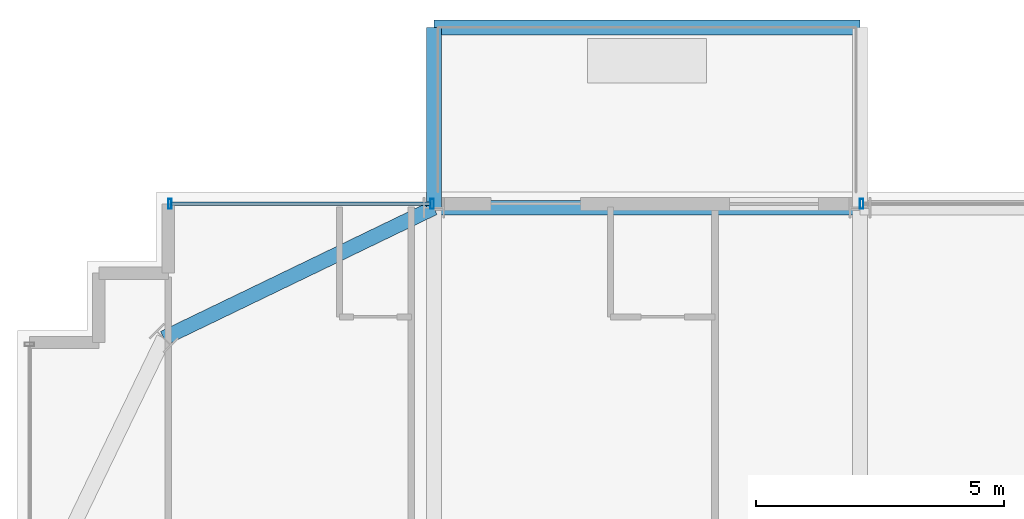
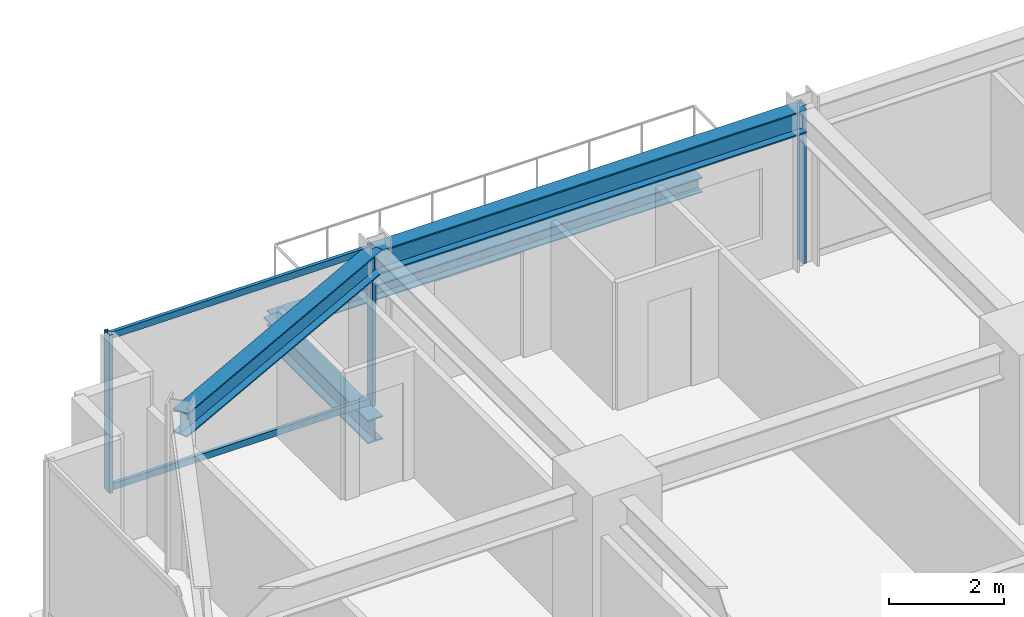
# One storey, part 28 of 42: 5 members, 4 beams, 2 elements without a shape of their own.
"""IFC4 building model written with IfcOpenShell, lengths in metres."""

from ifc_helpers import new_model, si_unit, direction, frame, origin, origin_2d, place, context, subcontext, project, spatial, hollow_rectangle, i_section, extrude, source, transform, mapped, material, material_profile, profile_set, type_object, element, aggregate, save


model = new_model("IFC4")

# Units and contexts
model_context = context("Model", 3, precision=1e-05, world=origin(), true_north=direction((0.0, 1.0)))
body_context = subcontext(model_context, "Body", "Model", "MODEL_VIEW")
ifc_project = project(units=[si_unit("LENGTHUNIT", "METRE"), si_unit("AREAUNIT", "SQUARE_METRE"), si_unit("VOLUMEUNIT", "CUBIC_METRE"), si_unit("PLANEANGLEUNIT", "RADIAN"), si_unit("MASSUNIT", "GRAM", prefix="KILO")], contexts=[model_context])

# Site, building, storey
site_placement = place(None, origin())
site = spatial("IfcSite", under=ifc_project, at=site_placement, CompositionType="ELEMENT")
building_placement = place(site_placement, origin())
building = spatial("IfcBuilding", under=site, at=building_placement, Name="Nahalor Promenade Grand Hotel", CompositionType="ELEMENT")
storey_placement = place(building_placement, frame((0.0, 0.0, 61.60009765625)))
storey = spatial("IfcBuildingStorey", under=building, at=storey_placement, Name="L14", CompositionType="ELEMENT", Elevation=61.60009765625)

# Beams
ifc_material_1 = material(Name="Steel S355JR", Category="steel")
ifc_material_profile_1 = material_profile(ifc_material_1, i_section(OverallWidth=0.3, OverallDepth=0.32, WebThickness=0.0115, FlangeThickness=0.0205, at=origin_2d()), Name="HEB 320")
ifc_profile_set_1 = profile_set([ifc_material_profile_1], Name="Steel S355JR")
beam_type_1 = type_object("IfcBeamType", Name="Beam-BalcEdge-HEB320", PredefinedType="SPANDREL", material=ifc_profile_set_1)
shared_shape_1 = source(origin(), body_context, "Body", "SweptSolid", [
    extrude(i_section(OverallWidth=0.3, OverallDepth=0.32, WebThickness=0.0115, FlangeThickness=0.0205, at=origin_2d()), origin(), (0.0, 0.0, 1.0), 8.60009765625),
])
beam_1_placement = place(storey_placement, frame((-17.0, 28.719970703125, -0.440185546875), z_axis=(1.0, 0.0, 0.0), x_axis=(0.0, 1.0, 0.0)))
element("IfcBeam", 1, at=beam_1_placement, inside=storey, type_object=beam_type_1, Name="BM-L14-BC-01-F", PredefinedType="SPANDREL", context=body_context, shape_type="MappedRepresentation", body=[
    mapped(shared_shape_1, transform((0.0, 0.0, 0.0), scale=1.0)),
])
ifc_material_profile_2 = material_profile(ifc_material_1, i_section(OverallWidth=0.3, OverallDepth=0.5, WebThickness=0.0145, FlangeThickness=0.028, at=origin_2d()), Name="HEB 500")
ifc_profile_set_2 = profile_set([ifc_material_profile_2], Name="Steel S355JR")
beam_type_2 = type_object("IfcBeamType", Name="Beam-Outrigger-HEB500", PredefinedType="BEAM", material=ifc_profile_set_2)
shared_shape_2 = source(origin(), body_context, "Body", "SweptSolid", [
    extrude(i_section(OverallWidth=0.3, OverallDepth=0.5, WebThickness=0.0145, FlangeThickness=0.028, at=origin_2d()), origin(), (0.0, 0.0, 1.0), 3.639892578125),
])
beam_2_placement = place(storey_placement, frame((-17.0, 25.080078125, -0.530029296875), z_axis=(0.0, 1.0, 0.0), x_axis=(-1.0, 0.0, 0.0)))
element("IfcBeam", 2, at=beam_2_placement, inside=storey, type_object=beam_type_2, Name="BM-L14-BC-01-1", PredefinedType="BEAM", context=body_context, shape_type="MappedRepresentation", body=[
    mapped(shared_shape_2, transform((0.0, 0.0, 0.0), scale=1.0)),
])
ifc_material_profile_3 = material_profile(ifc_material_1, i_section(OverallWidth=0.3, OverallDepth=0.5, WebThickness=0.0145, FlangeThickness=0.028, at=origin_2d()), Name="HEB 500")
ifc_profile_set_3 = profile_set([ifc_material_profile_3], Name="Steel S355JR")
beam_type_3 = type_object("IfcBeamType", Name="Beam-Spandrel-HEB500", PredefinedType="SPANDREL", material=ifc_profile_set_3)
shared_shape_3 = source(origin(), body_context, "Body", "SweptSolid", [
    extrude(i_section(OverallWidth=0.3, OverallDepth=0.5, WebThickness=0.0145, FlangeThickness=0.028, at=origin_2d()), origin(), (0.0, 0.0, 1.0), 8.60009765625),
])
beam_3_placement = place(storey_placement, frame((-17.0, 25.080078125, 3.119873046875), z_axis=(1.0, 0.0, 0.0), x_axis=(0.0, 1.0, 0.0)))
element("IfcBeam", 3, at=beam_3_placement, inside=storey, type_object=beam_type_3, Name="BM-L14-SP-N-0", PredefinedType="SPANDREL", context=body_context, shape_type="MappedRepresentation", body=[
    mapped(shared_shape_3, transform((0.0, 0.0, 0.0), scale=1.0)),
])
shared_shape_4 = source(origin(), body_context, "Body", "SweptSolid", [
    extrude(i_section(OverallWidth=0.3, OverallDepth=0.5, WebThickness=0.0145, FlangeThickness=0.028, at=origin_2d()), origin(), (0.0, 0.0, 1.0), 6.051513671875),
])
beam_4_placement = place(storey_placement, frame((-17.0, 25.080078125, 3.119873046875), z_axis=(-0.900608818852, -0.434630596492, 0.0), x_axis=(0.434630596492, -0.900608818852, 0.0)))
element("IfcBeam", 4, at=beam_4_placement, inside=storey, type_object=beam_type_3, Name="BM-L14-SPC-NW-1", PredefinedType="SPANDREL", context=body_context, shape_type="MappedRepresentation", body=[
    mapped(shared_shape_4, transform((0.0, 0.0, 0.0), scale=1.0)),
])

# Curtain wall, members
ifc_material_2 = material(Name="Anodised Bronze Aluminium EN AW-6063 T6", Category="aluminium")
curtain_wall_type = type_object("IfcCurtainWallType", Name="CW3 Elliptical-Void Collar Unitised Curtain Wall", PredefinedType="USERDEFINED", material=ifc_material_2)
curtain_wall_1_placement = place(storey_placement, origin())
curtain_wall_1 = element("IfcCurtainWall", 5, at=curtain_wall_1_placement, inside=storey, type_object=curtain_wall_type, Name="L14 Curtain Wall CW-L14-N-1", ObjectType="UNITISED_CURTAIN_WALL", PredefinedType="USERDEFINED")
ifc_material_profile_4 = material_profile(ifc_material_2, hollow_rectangle(XDim=0.07, YDim=0.2, WallThickness=0.005, at=origin_2d()), Name="CWM 70x200x5")
ifc_profile_set_4 = profile_set([ifc_material_profile_4], Name="Anodised Bronze Aluminium EN AW-6063 T6")
member_type_1 = type_object("IfcMemberType", Name="CWM3 Void Collar Mullion 70x200", PredefinedType="MULLION", material=ifc_profile_set_4)
shared_shape_5 = source(origin(), body_context, "Body", "SweptSolid", [
    extrude(hollow_rectangle(XDim=0.07, YDim=0.2, WallThickness=0.005, at=origin_2d()), origin(), (0.0, 0.0, 1.0), 3.369873046875),
])
member_1_placement = place(storey_placement, frame((-22.324951171875, 25.159912109375, 0.0), z_axis=(0.0, 0.0, 1.0), x_axis=(1.0, 0.0, 0.0)))
member_1 = element("IfcMember", 6, at=member_1_placement, type_object=member_type_1, Name="CW-L14-N-1 Mullion 0", PredefinedType="MULLION", context=body_context, shape_type="MappedRepresentation", body=[
    mapped(shared_shape_5, transform((0.0, 0.0, 0.0), scale=1.0)),
])
member_2_placement = place(storey_placement, frame((-17.034912109375, 25.159912109375, 0.0), z_axis=(0.0, 0.0, 1.0), x_axis=(1.0, 0.0, 0.0)))
member_2 = element("IfcMember", 7, at=member_2_placement, type_object=member_type_1, Name="CW-L14-N-1 Mullion 1", PredefinedType="MULLION", context=body_context, shape_type="MappedRepresentation", body=[
    mapped(shared_shape_5, transform((0.0, 0.0, 0.0), scale=1.0)),
])

# Curtain wall, member
curtain_wall_2_placement = place(storey_placement, origin())
curtain_wall_2 = element("IfcCurtainWall", 8, at=curtain_wall_2_placement, inside=storey, type_object=curtain_wall_type, Name="L14 Curtain Wall CW-L14-N-3", ObjectType="UNITISED_CURTAIN_WALL", PredefinedType="USERDEFINED")
member_3_placement = place(storey_placement, frame((-8.364990234375, 25.159912109375, 0.0), z_axis=(0.0, 0.0, 1.0), x_axis=(1.0, 0.0, 0.0)))
member_3 = element("IfcMember", 9, at=member_3_placement, type_object=member_type_1, Name="CW-L14-N-3 Mullion 0", PredefinedType="MULLION", context=body_context, shape_type="MappedRepresentation", body=[
    mapped(shared_shape_5, transform((0.0, 0.0, 0.0), scale=1.0)),
])
aggregate(curtain_wall_2, [member_3])

# Member
ifc_material_profile_5 = material_profile(ifc_material_2, hollow_rectangle(XDim=0.07, YDim=0.14, WallThickness=0.004, at=origin_2d()), Name="CWT 70x140x4")
ifc_profile_set_5 = profile_set([ifc_material_profile_5], Name="Anodised Bronze Aluminium EN AW-6063 T6")
member_type_2 = type_object("IfcMemberType", Name="CWT3 Void Collar Transom 70x140", PredefinedType="USERDEFINED", material=ifc_profile_set_5)
shared_shape_6 = source(origin(), body_context, "Body", "SweptSolid", [
    extrude(hollow_rectangle(XDim=0.07, YDim=0.14, WallThickness=0.004, at=origin_2d()), origin(), (0.0, 0.0, 1.0), 5.219970703125),
])
member_4_placement = place(storey_placement, frame((-22.2900390625, 25.159912109375, 0.06982421875), z_axis=(1.0, 0.0, 0.0), x_axis=(0.0, 1.0, 0.0)))
member_4 = element("IfcMember", 10, at=member_4_placement, type_object=member_type_2, Name="CW-L14-N-1 Transom 0-0", ObjectType="TRANSOM", PredefinedType="USERDEFINED", context=body_context, shape_type="MappedRepresentation", body=[
    mapped(shared_shape_6, transform((0.0, 0.0, 0.0), scale=1.0)),
])

member_5_placement = place(storey_placement, frame((-22.2900390625, 25.159912109375, 3.2998046875), z_axis=(1.0, 0.0, 0.0), x_axis=(0.0, 1.0, 0.0)))
member_5 = element("IfcMember", 11, at=member_5_placement, type_object=member_type_2, Name="CW-L14-N-1 Transom 0-1", ObjectType="TRANSOM", PredefinedType="USERDEFINED", context=body_context, shape_type="MappedRepresentation", body=[
    mapped(shared_shape_6, transform((0.0, 0.0, 0.0), scale=1.0)),
])

aggregate(curtain_wall_1, [member_1, member_2, member_4, member_5])

save(model, "model.ifc")
